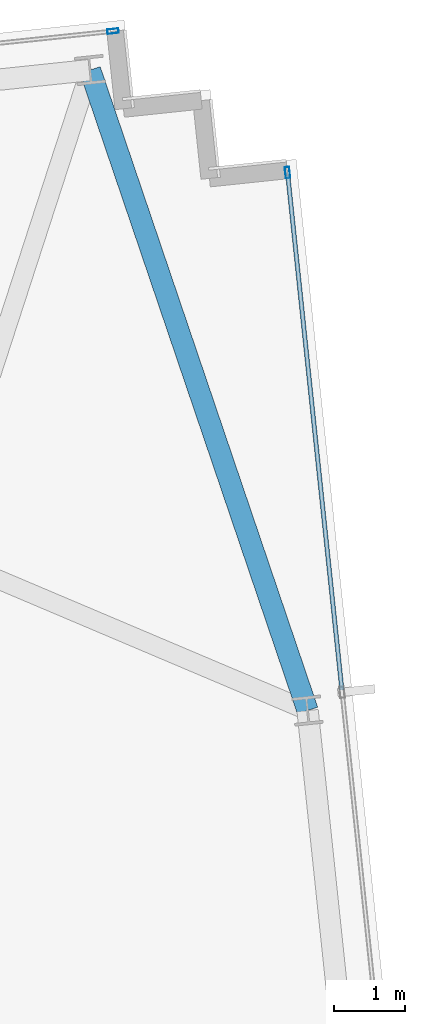
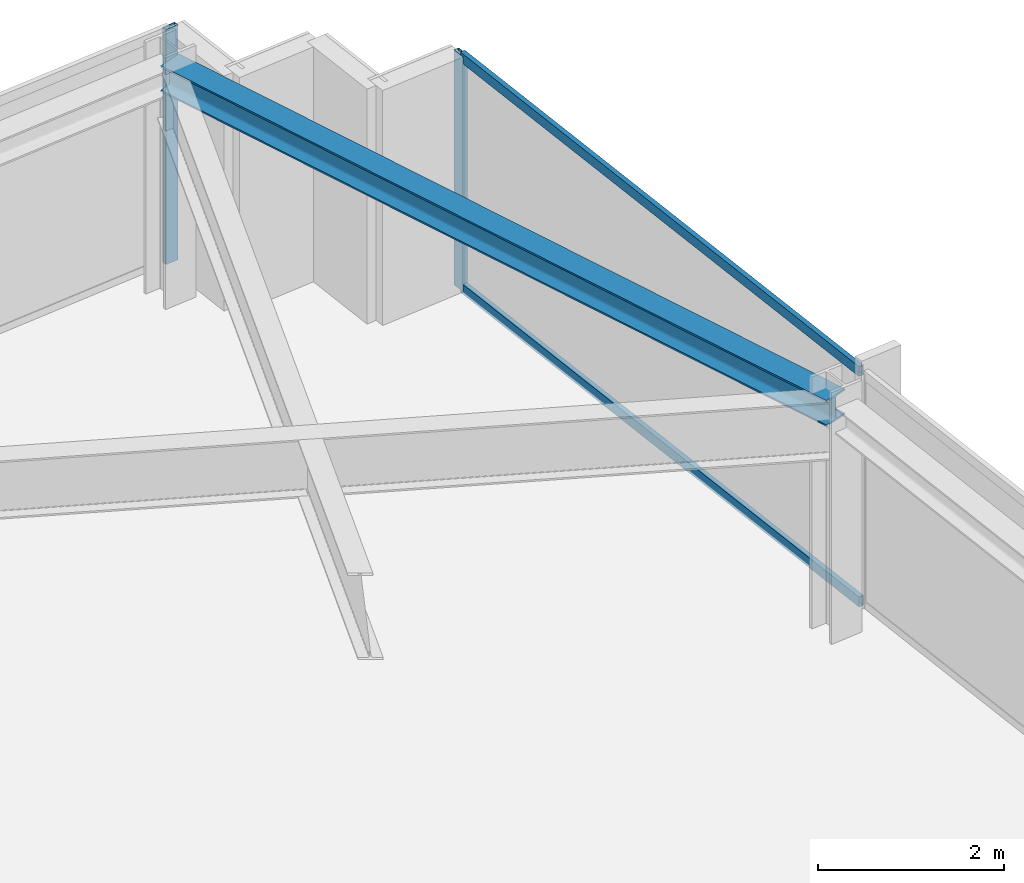
# One storey, part 25 of 32: 4 members, 1 beam, 2 elements without a shape of their own.
"""IFC4 building model written with IfcOpenShell, lengths in metres."""

from ifc_helpers import new_model, si_unit, direction, frame, origin, origin_2d, place, context, subcontext, project, spatial, hollow_rectangle, i_section, extrude, material, material_profile, profile_set, type_object, element, aggregate, save


model = new_model("IFC4")

# Units and contexts
model_context = context("Model", 3, precision=1e-05, world=origin(), true_north=direction((0.0, 1.0)))
body_context = subcontext(model_context, "Body", "Model", "MODEL_VIEW")
ifc_project = project(units=[si_unit("LENGTHUNIT", "METRE"), si_unit("AREAUNIT", "SQUARE_METRE"), si_unit("VOLUMEUNIT", "CUBIC_METRE"), si_unit("PLANEANGLEUNIT", "RADIAN"), si_unit("MASSUNIT", "GRAM", prefix="KILO")], contexts=[model_context])

# Site, building, storey
site_placement = place(None, origin())
site = spatial("IfcSite", under=ifc_project, at=site_placement, CompositionType="ELEMENT")
building_placement = place(site_placement, origin())
building = spatial("IfcBuilding", under=site, at=building_placement, Name="Yelkora Congress Tower", CompositionType="ELEMENT")
storey_placement = place(building_placement, frame((0.0, 0.0, 211.10009765625)))
storey = spatial("IfcBuildingStorey", under=building, at=storey_placement, Name="L58", CompositionType="ELEMENT", Elevation=211.10009765625)

# Beam
ifc_material_1 = material(Name="Steel S355J2", Category="steel")
ifc_material_profile_1 = material_profile(ifc_material_1, i_section(OverallWidth=0.300048828125, OverallDepth=0.340087890625, WebThickness=0.011962890625, FlangeThickness=0.021484375, FilletRadius=0.027099609375, at=origin_2d()), Name="HEB 340")
ifc_profile_set_1 = profile_set([ifc_material_profile_1], Name="Steel S355J2")
beam_type = type_object("IfcBeamType", Name="BM-SPAN-HEB340", PredefinedType="SPANDREL", material=ifc_profile_set_1)
beam_placement = place(storey_placement, frame((68.85400390625, 41.431884765625, 2.909912109375), z_axis=(-0.321575477611, 0.946883948644, 0.0), x_axis=(-0.946883948644, -0.321575477611, 0.0)))
element("IfcBeam", 1, at=beam_placement, inside=storey, type_object=beam_type, Name="L58 Perimeter Beam 12", PredefinedType="SPANDREL", context=body_context, shape_type="SweptSolid", body=[
    extrude(i_section(OverallWidth=0.300048828125, OverallDepth=0.340087890625, WebThickness=0.011962890625, FlangeThickness=0.021484375, FilletRadius=0.027099609375, at=origin_2d()), origin(), (0.0, 0.0, 1.0), 9.509765625),
])

# Curtain wall, member
ifc_material_2 = material(Name="Anodised aluminium and insulated glass", Category="aluminium")
curtain_wall_type = type_object("IfcCurtainWallType", Name="CW-SYS-B4", PredefinedType="NOTDEFINED", material=ifc_material_2)
curtain_wall_1_placement = place(storey_placement, origin())
curtain_wall_1 = element("IfcCurtainWall", 2, at=curtain_wall_1_placement, inside=storey, type_object=curtain_wall_type, Name="L58 Unitised Curtain Wall 10 (3)", PredefinedType="NOTDEFINED")
ifc_material_3 = material(Name="Anodised aluminium 6063-T6", Category="aluminium")
ifc_material_profile_2 = material_profile(ifc_material_3, hollow_rectangle(XDim=0.06494140625, YDim=0.159912109375, WallThickness=0.00390625, at=origin_2d()), Name="ALU 65x160x4")
ifc_profile_set_2 = profile_set([ifc_material_profile_2], Name="Anodised aluminium 6063-T6")
member_type_1 = type_object("IfcMemberType", Name="MEM-ML-B4", PredefinedType="MULLION", material=ifc_profile_set_2)
member_1_placement = place(storey_placement, frame((66.1181640625, 50.983154296875, 0.0), z_axis=(0.0, 0.0, 1.0), x_axis=(-0.104527724021, 0.994521973066, 0.0)))
member_1 = element("IfcMember", 3, at=member_1_placement, type_object=member_type_1, Name="CW-B4 mullion 7", PredefinedType="MULLION", context=body_context, shape_type="SweptSolid", body=[
    extrude(hollow_rectangle(XDim=0.06494140625, YDim=0.159912109375, WallThickness=0.00390625, at=origin_2d()), origin(), (0.0, 0.0, 1.0), 3.079833984375),
])
aggregate(curtain_wall_1, [member_1])

# Curtain wall, members
curtain_wall_2_placement = place(storey_placement, origin())
curtain_wall_2 = element("IfcCurtainWall", 4, at=curtain_wall_2_placement, inside=storey, type_object=curtain_wall_type, Name="L58 Unitised Curtain Wall 15", PredefinedType="NOTDEFINED")
member_2_placement = place(storey_placement, frame((68.57177734375, 48.996337890625, 0.0), z_axis=(0.0, 0.0, 1.0), x_axis=(0.994522182968, 0.104525726898, 0.0)))
member_2 = element("IfcMember", 5, at=member_2_placement, type_object=member_type_1, Name="CW-B4 mullion 1", PredefinedType="MULLION", context=body_context, shape_type="SweptSolid", body=[
    extrude(hollow_rectangle(XDim=0.06494140625, YDim=0.159912109375, WallThickness=0.00390625, at=origin_2d()), origin(), (0.0, 0.0, 1.0), 3.079833984375),
])
ifc_material_profile_3 = material_profile(ifc_material_3, hollow_rectangle(XDim=0.06005859375, YDim=0.1298828125, WallThickness=0.00390625, at=origin_2d()), Name="ALU 60x130x4")
ifc_profile_set_3 = profile_set([ifc_material_profile_3], Name="Anodised aluminium 6063-T6")
member_type_2 = type_object("IfcMemberType", Name="MEM-TR-B4", PredefinedType="USERDEFINED", material=ifc_profile_set_3)
member_3_placement = place(storey_placement, frame((68.5751953125, 48.9638671875, 0.02978515625), z_axis=(0.104531210832, -0.994521606584, 0.0), x_axis=(0.994521606584, 0.104531210832, 0.0)))
member_3 = element("IfcMember", 6, at=member_3_placement, type_object=member_type_2, Name="CW-B4 transom 1.1", ObjectType="TRANSOM", PredefinedType="USERDEFINED", context=body_context, shape_type="SweptSolid", body=[
    extrude(hollow_rectangle(XDim=0.06005859375, YDim=0.1298828125, WallThickness=0.00390625, at=origin_2d()), origin(), (0.0, 0.0, 1.0), 7.2822265625),
])
member_4_placement = place(storey_placement, frame((68.5751953125, 48.9638671875, 3.0498046875), z_axis=(0.104531210832, -0.994521606584, 0.0), x_axis=(0.994521606584, 0.104531210832, 0.0)))
member_4 = element("IfcMember", 7, at=member_4_placement, type_object=member_type_2, Name="CW-B4 transom 1.2", ObjectType="TRANSOM", PredefinedType="USERDEFINED", context=body_context, shape_type="SweptSolid", body=[
    extrude(hollow_rectangle(XDim=0.06005859375, YDim=0.1298828125, WallThickness=0.00390625, at=origin_2d()), origin(), (0.0, 0.0, 1.0), 7.2822265625),
])
aggregate(curtain_wall_2, [member_2, member_3, member_4])

save(model, "model.ifc")
